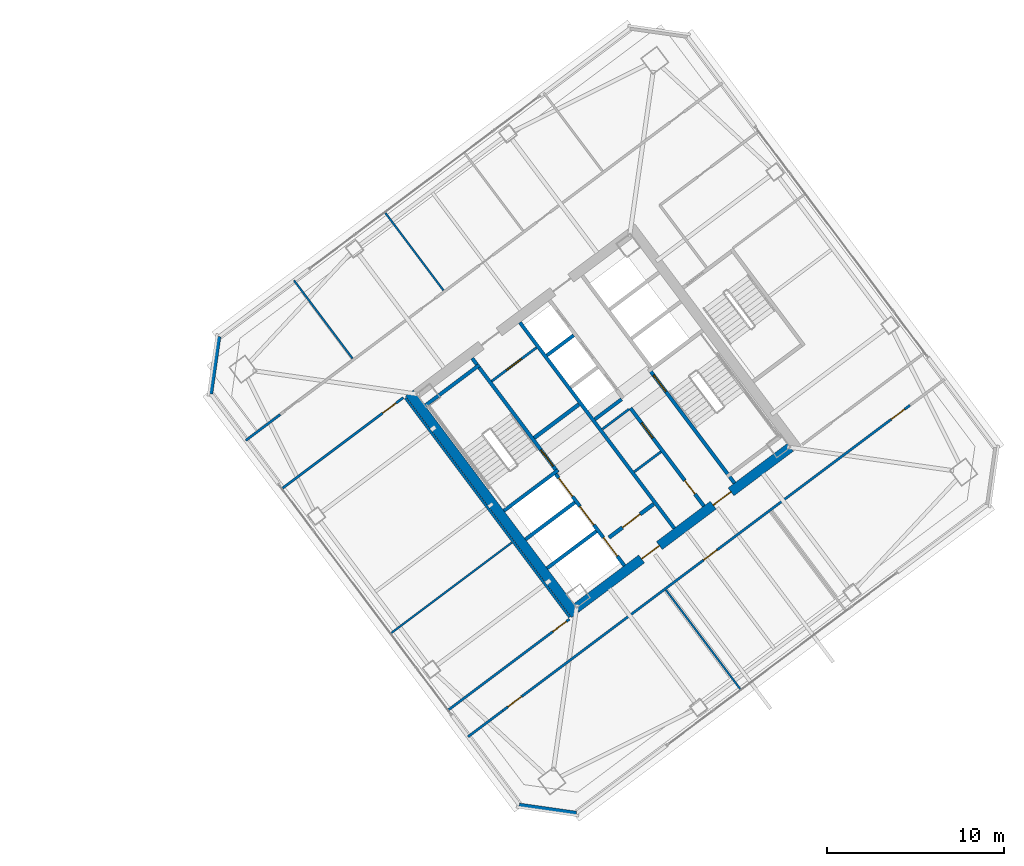
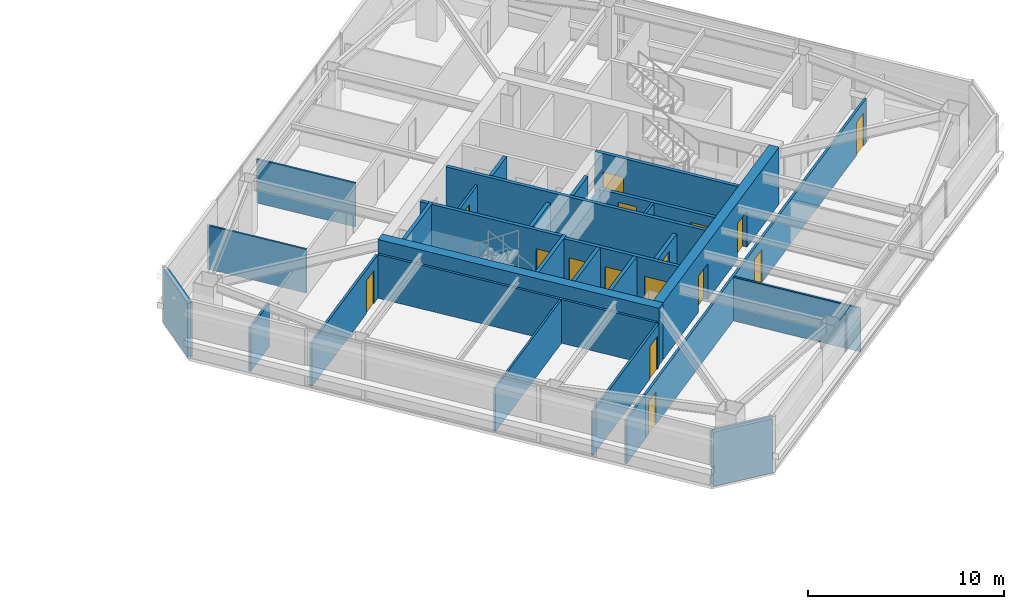
# One storey, part 34 of 42: 30 walls, 16 doors, 16 openings.
"""IFC4 building model written with IfcOpenShell, lengths in metres."""

from ifc_helpers import new_model, si_unit, direction, frame, frame_2d, origin, place, context, subcontext, project, spatial, rectangle, extrude, material, layer, layer_set, type_object, element, fill, save


model = new_model("IFC4")

# Units and contexts
model_context = context("Model", 3, precision=1e-05, world=origin(), true_north=direction((0.0, 1.0)))
body_context = subcontext(model_context, "Body", "Model", "MODEL_VIEW")
ifc_project = project(units=[si_unit("LENGTHUNIT", "METRE"), si_unit("AREAUNIT", "SQUARE_METRE"), si_unit("VOLUMEUNIT", "CUBIC_METRE"), si_unit("PLANEANGLEUNIT", "RADIAN"), si_unit("MASSUNIT", "GRAM", prefix="KILO")], contexts=[model_context])

# Site, building, storey
site_placement = place(None, origin())
site = spatial("IfcSite", under=ifc_project, at=site_placement, CompositionType="ELEMENT")
building_placement = place(site_placement, origin())
building = spatial("IfcBuilding", under=site, at=building_placement, Name="Tashvorn Skyway Center", CompositionType="ELEMENT")
storey_placement = place(building_placement, frame((0.0, 0.0, 164.10009765625)))
storey = spatial("IfcBuildingStorey", under=building, at=storey_placement, Name="L44", CompositionType="ELEMENT", Elevation=164.10009765625)

# Wall
ifc_material_1 = material(Name="Concrete C60/75", Category="concrete")
ifc_layer_1 = layer(ifc_material_1, 0.550048828125)
ifc_layer_set_1 = layer_set([ifc_layer_1], Name="Concrete C60/75")
wall_type_1 = type_object("IfcWallType", Name="WALL-CORE-550", PredefinedType="SHEAR", material=ifc_layer_set_1)
wall_1_placement = place(storey_placement, frame((112.43603515625, 21.076904296875, 0.0), z_axis=(0.0, 0.0, 1.0), x_axis=(-0.600005007985, 0.799996243986, 0.0)))
element("IfcWall", 1, at=wall_1_placement, inside=storey, type_object=wall_type_1, Name="Tower 2 L44 West Core Shear Wall", PredefinedType="SHEAR", context=body_context, shape_type="SweptSolid", body=[
    extrude(rectangle(XDim=15.60009765625, YDim=0.550048828125, at=frame_2d((7.800048828125, 0.0))), origin(), (0.0, 0.0, 1.0), 3.5498046875),
])

# Wall, openings, doors
wall_2_placement = place(storey_placement, frame((124.5390625, 30.498046875, 0.0), z_axis=(0.0, 0.0, 1.0), x_axis=(-0.799998054672, -0.600002593761, 0.0)))
wall_2 = element("IfcWall", 2, at=wall_2_placement, inside=storey, type_object=wall_type_1, Name="Tower 2 L44 South Core Shear Wall", PredefinedType="SHEAR", context=body_context, shape_type="SweptSolid", body=[
    extrude(rectangle(XDim=15.06005859375, YDim=0.550048828125, at=frame_2d((7.530029296875, 0.0))), origin(), (0.0, 0.0, 1.0), 3.5498046875),
])
opening_1_placement = place(wall_2_placement, frame((9.22998046875, 0.0, 0.0)))
opening_1 = element("IfcOpeningElement", 3, at=opening_1_placement, cuts=wall_2, Name="Opening D-FFL-1250", PredefinedType="OPENING", context=body_context, shape_type="SweptSolid", body=[
    extrude(rectangle(XDim=1.25, YDim=2.25, at=frame_2d((0.625, 1.125))), frame((0.0, 0.284912109375, 0.0), z_axis=(0.0, -1.0, 0.0), x_axis=(1.0, 0.0, 0.0)), (0.0, 0.0, 1.0), 0.570068359375),
])
opening_2_placement = place(wall_2_placement, frame((4.179931640625, 0.0, 0.0)))
opening_2 = element("IfcOpeningElement", 4, at=opening_2_placement, cuts=wall_2, Name="Opening D-FFL-1250", PredefinedType="OPENING", context=body_context, shape_type="SweptSolid", body=[
    extrude(rectangle(XDim=1.25, YDim=2.25, at=frame_2d((0.625, 1.125))), frame((0.0, 0.284912109375, 0.0), z_axis=(0.0, -1.0, 0.0), x_axis=(1.0, 0.0, 0.0)), (0.0, 0.0, 1.0), 0.570068359375),
])
ifc_material_2 = material(Name="Hollow galvanized steel fire door assembly", Category="steel")
door_type_1 = type_object("IfcDoorType", Name="DOOR-FFL-1250", OperationType="NOTDEFINED", PredefinedType="DOOR", material=ifc_material_2)
door_1_placement = place(opening_1_placement, origin())
door_1 = element("IfcDoor", 5, at=door_1_placement, inside=storey, type_object=door_type_1, Name="Tower 2 L44 Core South Firefighting Exit Door", OperationType="SINGLE_SWING_LEFT", OverallHeight=2.25, OverallWidth=1.25, PredefinedType="DOOR", context=body_context, shape_type="SweptSolid", body=[
    extrude(rectangle(XDim=1.25, YDim=2.25, at=frame_2d((0.625, 1.125))), frame((0.0, 0.02490234375, 0.0), z_axis=(0.0, -1.0, 0.0), x_axis=(1.0, 0.0, 0.0)), (0.0, 0.0, 1.0), 0.050048828125),
])
fill(opening_1, door_1)
door_2_placement = place(opening_2_placement, origin())
door_2 = element("IfcDoor", 6, at=door_2_placement, inside=storey, type_object=door_type_1, Name="Tower 2 L44 Core South Lift Lobby Door", OperationType="SINGLE_SWING_RIGHT", OverallHeight=2.25, OverallWidth=1.25, PredefinedType="DOOR", context=body_context, shape_type="SweptSolid", body=[
    extrude(rectangle(XDim=1.25, YDim=2.25, at=frame_2d((0.625, 1.125))), frame((0.0, 0.02490234375, 0.0), z_axis=(0.0, -1.0, 0.0), x_axis=(1.0, 0.0, 0.0)), (0.0, 0.0, 1.0), 0.050048828125),
])
fill(opening_2, door_2)

# Walls
ifc_material_3 = material(Name="Precast concrete C40/50", Category="concrete")
ifc_layer_2 = layer(ifc_material_3, 0.280029296875)
ifc_layer_set_2 = layer_set([ifc_layer_2], Name="Precast concrete C40/50")
wall_type_2 = type_object("IfcWallType", Name="WALL-EXT-280", PredefinedType="SOLIDWALL", material=ifc_layer_set_2)
for number, where, z_axis, x_axis, name in (
    (7, (112.47998046875, 9.860107421875, 0.0), (0.0, 0.0, 1.0), (-0.989950994782, 0.141410847992, 0.0), "Tower 2 L44 SW Precast Chamfer Wall"),
    (8, (91.860107421875, 33.52001953125, 0.0), (0.0, 0.0, 1.0), (0.141410847992, 0.989950994782, 0.0), "Tower 2 L44 NW Precast Chamfer Wall"),
):
    element("IfcWall", number, at=place(storey_placement, frame(where, z_axis=z_axis, x_axis=x_axis)), inside=storey, type_object=wall_type_2, Name=name, PredefinedType="SOLIDWALL", context=body_context, shape_type="SweptSolid", body=[
        extrude(rectangle(XDim=3.252685546875, YDim=0.280029296875, at=frame_2d((1.62646484375, 0.0))), origin(), (0.0, 0.0, 1.0), 3.369873046875),
    ])
ifc_material_4 = material(Name="Concrete C40/50", Category="concrete")
ifc_layer_3 = layer(ifc_material_4, 0.219970703125)
ifc_layer_set_3 = layer_set([ifc_layer_3], Name="Concrete C40/50")
wall_type_3 = type_object("IfcWallType", Name="WALL-FFL-220", PredefinedType="SOLIDWALL", material=ifc_layer_set_3)
wall_3_placement = place(storey_placement, frame((110.10400390625, 31.028076171875, 0.0), z_axis=(0.0, 0.0, 1.0), x_axis=(0.800018601094, 0.59997519774, 0.0)))
element("IfcWall", 9, at=wall_3_placement, inside=storey, type_object=wall_type_3, Name="Tower 2 L44 Firefighting Lobby North Wall", PredefinedType="SOLIDWALL", context=body_context, shape_type="SweptSolid", body=[
    extrude(rectangle(XDim=3.14990234375, YDim=0.219970703125, at=frame_2d((1.574951171875, 0.0))), origin(), (0.0, 0.0, 1.0), 2.722900390625),
])

# Wall, opening, door
wall_4_placement = place(storey_placement, frame((114.31591796875, 25.412109375, 0.0), z_axis=(0.0, 0.0, 1.0), x_axis=(0.800018601094, 0.59997519774, 0.0)))
wall_4 = element("IfcWall", 10, at=wall_4_placement, inside=storey, type_object=wall_type_3, Name="Tower 2 L44 Firefighting Lobby South Wall", PredefinedType="SOLIDWALL", context=body_context, shape_type="SweptSolid", body=[
    extrude(rectangle(XDim=3.14990234375, YDim=0.219970703125, at=frame_2d((1.574951171875, 0.0))), origin(), (0.0, 0.0, 1.0), 2.722900390625),
])
opening_3_placement = place(wall_4_placement, frame((0.949951171875, 0.0, 0.0)))
opening_3 = element("IfcOpeningElement", 11, at=opening_3_placement, cuts=wall_4, Name="Opening D-FFL-1250", PredefinedType="OPENING", context=body_context, shape_type="SweptSolid", body=[
    extrude(rectangle(XDim=1.25, YDim=2.25, at=frame_2d((0.625, 1.125))), frame((0.0, 0.119873046875, 0.0), z_axis=(0.0, -1.0, 0.0), x_axis=(1.0, 0.0, 0.0)), (0.0, 0.0, 1.0), 0.239990234375),
])
door_3_placement = place(opening_3_placement, origin())
door_3 = element("IfcDoor", 12, at=door_3_placement, inside=storey, type_object=door_type_1, Name="Tower 2 L44 Firefighting Lobby Egress Door", OperationType="SINGLE_SWING_LEFT", OverallHeight=2.25, OverallWidth=1.25, PredefinedType="DOOR", context=body_context, shape_type="SweptSolid", body=[
    extrude(rectangle(XDim=1.25, YDim=2.25, at=frame_2d((0.625, 1.125))), frame((0.0, 0.02490234375, 0.0), z_axis=(0.0, -1.0, 0.0), x_axis=(1.0, 0.0, 0.0)), (0.0, 0.0, 1.0), 0.050048828125),
])
fill(opening_3, door_3)

# Walls
ifc_material_5 = material(Name="Gypsum board on cold-formed steel stud framing", Category="steel")
ifc_layer_4 = layer(ifc_material_5, 0.110107421875)
ifc_layer_set_4 = layer_set([ifc_layer_4], Name="Gypsum board on cold-formed steel stud framing")
wall_type_4 = type_object("IfcWallType", Name="WALL-PART-110", PredefinedType="PARTITIONING", material=ifc_layer_set_4)
wall_5_placement = place(storey_placement, frame((99.8720703125, 35.50390625, 0.0), z_axis=(0.0, 0.0, 1.0), x_axis=(-0.599992897893, 0.800005326531, 0.0)))
element("IfcWall", 13, at=wall_5_placement, inside=storey, type_object=wall_type_4, Name="Tower 2 L44 North Suite Partition 1", PredefinedType="PARTITIONING", context=body_context, shape_type="SweptSolid", body=[
    extrude(rectangle(XDim=5.500244140625, YDim=0.110107421875, at=frame_2d((2.75, 0.0))), origin(), (0.0, 0.0, 1.0), 2.722900390625),
])
wall_6_placement = place(storey_placement, frame((104.991943359375, 39.343994140625, 0.0), z_axis=(0.0, 0.0, 1.0), x_axis=(-0.600014204577, 0.79998934637, 0.0)))
element("IfcWall", 14, at=wall_6_placement, inside=storey, type_object=wall_type_4, Name="Tower 2 L44 North Suite Partition 2", PredefinedType="PARTITIONING", context=body_context, shape_type="SweptSolid", body=[
    extrude(rectangle(XDim=5.5, YDim=0.110107421875, at=frame_2d((2.75, 0.0))), origin(), (0.0, 0.0, 1.0), 2.722900390625),
])
wall_7_placement = place(storey_placement, frame((121.748046875, 16.8359375, 0.0), z_axis=(0.0, 0.0, 1.0), x_axis=(-0.6, 0.8, 0.0)))
element("IfcWall", 15, at=wall_7_placement, inside=storey, type_object=wall_type_4, Name="Tower 2 L44 South Suite Partition 1", PredefinedType="PARTITIONING", context=body_context, shape_type="SweptSolid", body=[
    extrude(rectangle(XDim=7.030029296875, YDim=0.110107421875, at=frame_2d((3.51513671875, 0.0))), origin(), (0.0, 0.0, 1.0), 2.722900390625),
])
wall_8_placement = place(storey_placement, frame((102.01611328125, 20.011962890625, 0.0), z_axis=(0.0, 0.0, 1.0), x_axis=(0.799989708052, 0.600013722352, 0.0)))
element("IfcWall", 16, at=wall_8_placement, inside=storey, type_object=wall_type_4, Name="Tower 2 L44 West Mid Partition", PredefinedType="PARTITIONING", context=body_context, shape_type="SweptSolid", body=[
    extrude(rectangle(XDim=8.539794921875, YDim=0.110107421875, at=frame_2d((4.27001953125, 0.0))), origin(), (0.0, 0.0, 1.0), 2.722900390625),
])
ifc_layer_5 = layer(ifc_material_5, 0.135009765625)
ifc_layer_set_5 = layer_set([ifc_layer_5], Name="Gypsum board on cold-formed steel stud framing")
wall_type_5 = type_object("IfcWallType", Name="WALL-PART-135", PredefinedType="PARTITIONING", material=ifc_layer_set_5)
wall_9_placement = place(storey_placement, frame((93.85595703125, 30.89208984375, 0.0), z_axis=(0.0, 0.0, 1.0), x_axis=(0.800012055778, 0.599983925293, 0.0)))
element("IfcWall", 17, at=wall_9_placement, inside=storey, type_object=wall_type_5, Name="Tower 2 L44 North-West Suite South Wall", PredefinedType="PARTITIONING", context=body_context, shape_type="SweptSolid", body=[
    extrude(rectangle(XDim=2.43017578125, YDim=0.135009765625, at=frame_2d((1.215087890625, 0.0))), origin(), (0.0, 0.0, 1.0), 2.722900390625),
])

# Wall, openings, doors
wall_10_placement = place(storey_placement, frame((131.281982421875, 32.8740234375, 0.0), z_axis=(0.0, 0.0, 1.0), x_axis=(-0.8, -0.6, 0.0)))
wall_10 = element("IfcWall", 18, at=wall_10_placement, inside=storey, type_object=wall_type_5, Name="Tower 2 L44 South Suite Wall", PredefinedType="PARTITIONING", context=body_context, shape_type="SweptSolid", body=[
    extrude(rectangle(XDim=28.699951171875, YDim=0.135009765625, at=frame_2d((14.35009765625, 0.0))), origin(), (0.0, 0.0, 1.0), 2.722900390625),
])
opening_4_placement = place(wall_10_placement, frame((27.3701171875, 0.0, 0.0)))
opening_4 = element("IfcOpeningElement", 19, at=opening_4_placement, cuts=wall_10, Name="Opening D-INT-950", PredefinedType="OPENING", context=body_context, shape_type="SweptSolid", body=[
    extrude(rectangle(XDim=0.949951171875, YDim=2.050048828125, at=frame_2d((0.47509765625, 1.02490234375))), frame((0.0, 0.077392578125, 0.0), z_axis=(0.0, -1.0, 0.0), x_axis=(1.0, 0.0, 0.0)), (0.0, 0.0, 1.0), 0.155029296875),
])
opening_5_placement = place(wall_10_placement, frame((13.59228515625, 0.0, 0.0)))
opening_5 = element("IfcOpeningElement", 20, at=opening_5_placement, cuts=wall_10, Name="Opening D-INT-950", PredefinedType="OPENING", context=body_context, shape_type="SweptSolid", body=[
    extrude(rectangle(XDim=0.949951171875, YDim=2.050048828125, at=frame_2d((0.47509765625, 1.02490234375))), frame((0.0, 0.077392578125, 0.0), z_axis=(0.0, -1.0, 0.0), x_axis=(1.0, 0.0, 0.0)), (0.0, 0.0, 1.0), 0.155029296875),
])
opening_6_placement = place(wall_10_placement, frame((0.3798828125, 0.0, 0.0)))
opening_6 = element("IfcOpeningElement", 21, at=opening_6_placement, cuts=wall_10, Name="Opening D-INT-950", PredefinedType="OPENING", context=body_context, shape_type="SweptSolid", body=[
    extrude(rectangle(XDim=0.949951171875, YDim=2.050048828125, at=frame_2d((0.47509765625, 1.02490234375))), frame((0.0, 0.077392578125, 0.0), z_axis=(0.0, -1.0, 0.0), x_axis=(1.0, 0.0, 0.0)), (0.0, 0.0, 1.0), 0.155029296875),
])
ifc_material_6 = material(Name="Solid-core architectural oak veneer door")
door_type_2 = type_object("IfcDoorType", Name="DOOR-INT-950", OperationType="NOTDEFINED", PredefinedType="DOOR", material=ifc_material_6)
door_4_placement = place(opening_4_placement, origin())
door_4 = element("IfcDoor", 22, at=door_4_placement, inside=storey, type_object=door_type_2, Name="Tower 2 L44 Research Library Door", OperationType="SINGLE_SWING_LEFT", OverallHeight=2.050048828125, OverallWidth=0.949951171875, PredefinedType="DOOR", context=body_context, shape_type="SweptSolid", body=[
    extrude(rectangle(XDim=0.949951171875, YDim=2.050048828125, at=frame_2d((0.47509765625, 1.02490234375))), frame((0.0, 0.02490234375, 0.0), z_axis=(0.0, -1.0, 0.0), x_axis=(1.0, 0.0, 0.0)), (0.0, 0.0, 1.0), 0.050048828125),
])
fill(opening_4, door_4)
door_5_placement = place(opening_5_placement, origin())
door_5 = element("IfcDoor", 23, at=door_5_placement, inside=storey, type_object=door_type_2, Name="Tower 2 L44 Staff Fitness Club Door", OperationType="SINGLE_SWING_RIGHT", OverallHeight=2.050048828125, OverallWidth=0.949951171875, PredefinedType="DOOR", context=body_context, shape_type="SweptSolid", body=[
    extrude(rectangle(XDim=0.949951171875, YDim=2.050048828125, at=frame_2d((0.47509765625, 1.02490234375))), frame((0.0, 0.02490234375, 0.0), z_axis=(0.0, -1.0, 0.0), x_axis=(1.0, 0.0, 0.0)), (0.0, 0.0, 1.0), 0.050048828125),
])
fill(opening_5, door_5)
door_6_placement = place(opening_6_placement, origin())
door_6 = element("IfcDoor", 24, at=door_6_placement, inside=storey, type_object=door_type_2, Name="Tower 2 L44 Staff Fitness Club Door", OperationType="SINGLE_SWING_LEFT", OverallHeight=2.050048828125, OverallWidth=0.949951171875, PredefinedType="DOOR", context=body_context, shape_type="SweptSolid", body=[
    extrude(rectangle(XDim=0.949951171875, YDim=2.050048828125, at=frame_2d((0.47509765625, 1.02490234375))), frame((0.0, 0.02490234375, 0.0), z_axis=(0.0, -1.0, 0.0), x_axis=(1.0, 0.0, 0.0)), (0.0, 0.0, 1.0), 0.050048828125),
])
fill(opening_6, door_6)

# Walls
wall_11_placement = place(storey_placement, frame((106.3779296875, 14.196044921875, 0.0), z_axis=(0.0, 0.0, 1.0), x_axis=(0.800012055778, 0.599983925293, 0.0)))
element("IfcWall", 25, at=wall_11_placement, inside=storey, type_object=wall_type_5, Name="Tower 2 L44 South-West Suite North Wall", PredefinedType="PARTITIONING", context=body_context, shape_type="SweptSolid", body=[
    extrude(rectangle(XDim=2.43017578125, YDim=0.135009765625, at=frame_2d((1.215087890625, 0.0))), origin(), (0.0, 0.0, 1.0), 2.722900390625),
])
wall_12_placement = place(storey_placement, frame((112.10400390625, 20.927978515625, 0.0), z_axis=(0.0, 0.0, 1.0), x_axis=(-0.599994940075, 0.800003794918, 0.0)))
element("IfcWall", 26, at=wall_12_placement, inside=storey, type_object=wall_type_5, Name="Tower 2 L44 West Inner Suite Wall", PredefinedType="PARTITIONING", context=body_context, shape_type="SweptSolid", body=[
    extrude(rectangle(XDim=15.43994140625, YDim=0.135009765625, at=frame_2d((7.719970703125, 0.0))), origin(), (0.0, 0.0, 1.0), 2.722900390625),
])

# Wall, opening, door
wall_13_placement = place(storey_placement, frame((102.72802734375, 33.2958984375, 0.0), z_axis=(0.0, 0.0, 1.0), x_axis=(-0.800013722153, -0.59998170336, 0.0)))
wall_13 = element("IfcWall", 27, at=wall_13_placement, inside=storey, type_object=wall_type_5, Name="Tower 2 L44 West Suite North Wall", PredefinedType="PARTITIONING", context=body_context, shape_type="SweptSolid", body=[
    extrude(rectangle(XDim=8.539794921875, YDim=0.135009765625, at=frame_2d((4.27001953125, 0.0))), origin(), (0.0, 0.0, 1.0), 2.722900390625),
])
opening_7_placement = place(wall_13_placement, frame((0.5, 0.0, 0.0)))
opening_7 = element("IfcOpeningElement", 28, at=opening_7_placement, cuts=wall_13, Name="Opening D-INT-950", PredefinedType="OPENING", context=body_context, shape_type="SweptSolid", body=[
    extrude(rectangle(XDim=0.949951171875, YDim=2.050048828125, at=frame_2d((0.47509765625, 1.02490234375))), frame((0.0, 0.077392578125, 0.0), z_axis=(0.0, -1.0, 0.0), x_axis=(1.0, 0.0, 0.0)), (0.0, 0.0, 1.0), 0.155029296875),
])
door_7_placement = place(opening_7_placement, origin())
door_7 = element("IfcDoor", 29, at=door_7_placement, inside=storey, type_object=door_type_2, Name="Tower 2 L44 Design Studio Door", OperationType="SINGLE_SWING_RIGHT", OverallHeight=2.050048828125, OverallWidth=0.949951171875, PredefinedType="DOOR", context=body_context, shape_type="SweptSolid", body=[
    extrude(rectangle(XDim=0.949951171875, YDim=2.050048828125, at=frame_2d((0.47509765625, 1.02490234375))), frame((0.0, 0.02490234375, 0.0), z_axis=(0.0, -1.0, 0.0), x_axis=(1.0, 0.0, 0.0)), (0.0, 0.0, 1.0), 0.050048828125),
])
fill(opening_7, door_7)

wall_14_placement = place(storey_placement, frame((105.256103515625, 15.69189453125, 0.0), z_axis=(0.0, 0.0, 1.0), x_axis=(0.799989708052, 0.600013722352, 0.0)))
wall_14 = element("IfcWall", 30, at=wall_14_placement, inside=storey, type_object=wall_type_5, Name="Tower 2 L44 West Suite South Wall", PredefinedType="PARTITIONING", context=body_context, shape_type="SweptSolid", body=[
    extrude(rectangle(XDim=8.539794921875, YDim=0.135009765625, at=frame_2d((4.27001953125, 0.0))), origin(), (0.0, 0.0, 1.0), 2.722900390625),
])
opening_8_placement = place(wall_14_placement, frame((7.3798828125, 0.0, 0.0)))
opening_8 = element("IfcOpeningElement", 31, at=opening_8_placement, cuts=wall_14, Name="Opening D-INT-950", PredefinedType="OPENING", context=body_context, shape_type="SweptSolid", body=[
    extrude(rectangle(XDim=0.949951171875, YDim=2.050048828125, at=frame_2d((0.47509765625, 1.02490234375))), frame((0.0, 0.077392578125, 0.0), z_axis=(0.0, -1.0, 0.0), x_axis=(1.0, 0.0, 0.0)), (0.0, 0.0, 1.0), 0.155029296875),
])
door_8_placement = place(opening_8_placement, origin())
door_8 = element("IfcDoor", 32, at=door_8_placement, inside=storey, type_object=door_type_2, Name="Tower 2 L44 Public Restroom Door", OperationType="SINGLE_SWING_LEFT", OverallHeight=2.050048828125, OverallWidth=0.949951171875, PredefinedType="DOOR", context=body_context, shape_type="SweptSolid", body=[
    extrude(rectangle(XDim=0.949951171875, YDim=2.050048828125, at=frame_2d((0.47509765625, 1.02490234375))), frame((0.0, 0.02490234375, 0.0), z_axis=(0.0, -1.0, 0.0), x_axis=(1.0, 0.0, 0.0)), (0.0, 0.0, 1.0), 0.050048828125),
])
fill(opening_8, door_8)

ifc_layer_6 = layer(ifc_material_5, 0.135009765625)
ifc_layer_set_6 = layer_set([ifc_layer_6], Name="Gypsum board on cold-formed steel stud framing")
wall_type_6 = type_object("IfcWallType", Name="WALL-RATED-135", PredefinedType="PARTITIONING", material=ifc_layer_set_6)
wall_15_placement = place(storey_placement, frame((107.7099609375, 34.219970703125, 0.0), z_axis=(0.0, 0.0, 1.0), x_axis=(0.799981399002, 0.60002480053, 0.0)))
wall_15 = element("IfcWall", 33, at=wall_15_placement, inside=storey, type_object=wall_type_6, Name="Tower 2 L44 Core Service Lobby Wall", PredefinedType="PARTITIONING", context=body_context, shape_type="SweptSolid", body=[
    extrude(rectangle(XDim=3.150146484375, YDim=0.135009765625, at=frame_2d((1.5751953125, 0.0))), origin(), (0.0, 0.0, 1.0), 2.722900390625),
])
opening_9_placement = place(wall_15_placement, frame((1.050048828125, 0.0, 0.0)))
opening_9 = element("IfcOpeningElement", 34, at=opening_9_placement, cuts=wall_15, Name="Opening D-RT-1050", PredefinedType="OPENING", context=body_context, shape_type="SweptSolid", body=[
    extrude(rectangle(XDim=1.050048828125, YDim=2.199951171875, at=frame_2d((0.52490234375, 1.10009765625))), frame((0.0, 0.077392578125, 0.0), z_axis=(0.0, -1.0, 0.0), x_axis=(1.0, 0.0, 0.0)), (0.0, 0.0, 1.0), 0.155029296875),
])
door_type_3 = type_object("IfcDoorType", Name="DOOR-RATED-1050", OperationType="NOTDEFINED", PredefinedType="DOOR", material=ifc_material_2)
door_9_placement = place(opening_9_placement, origin())
door_9 = element("IfcDoor", 35, at=door_9_placement, inside=storey, type_object=door_type_3, Name="Tower 2 L44 Core Accessible WC Door", OperationType="SINGLE_SWING_LEFT", OverallHeight=2.199951171875, OverallWidth=1.050048828125, PredefinedType="DOOR", context=body_context, shape_type="SweptSolid", body=[
    extrude(rectangle(XDim=1.050048828125, YDim=2.199951171875, at=frame_2d((0.52490234375, 1.10009765625))), frame((0.0, 0.02490234375, 0.0), z_axis=(0.0, -1.0, 0.0), x_axis=(1.0, 0.0, 0.0)), (0.0, 0.0, 1.0), 0.050048828125),
])
fill(opening_9, door_9)

# Walls
for number, where, z_axis, x_axis, name in (
    (36, (113.946044921875, 31.52197265625, 0.0), (0.0, 0.0, 1.0), (0.8, 0.6, 0.0), "Tower 2 L44 Core Room Partition"),
    (37, (115.74609375, 29.1220703125, 0.0), (0.0, 0.0, 1.0), (0.8, 0.6, 0.0), "Tower 2 L44 Freed Core Partition"),
):
    element("IfcWall", number, at=place(storey_placement, frame(where, z_axis=z_axis, x_axis=x_axis)), inside=storey, type_object=wall_type_6, Name=name, PredefinedType="PARTITIONING", context=body_context, shape_type="SweptSolid", body=[
        extrude(rectangle(XDim=1.8798828125, YDim=0.135009765625, at=frame_2d((0.93994140625, 0.0))), origin(), (0.0, 0.0, 1.0), 2.722900390625),
    ])
ifc_layer_7 = layer(ifc_material_4, 0.199951171875)
ifc_layer_set_7 = layer_set([ifc_layer_7], Name="Concrete C40/50")
wall_type_7 = type_object("IfcWallType", Name="WALL-SHAFT-200", PredefinedType="SOLIDWALL", material=ifc_layer_set_7)
for number, where, z_axis, x_axis, name in (
    (38, (110.825927734375, 23.681884765625, 0.0), (0.0, 0.0, 1.0), (0.8, 0.6, 0.0), "Tower 2 L44 FSAE Shaft Divider"),
    (39, (109.60791015625, 25.305908203125, 0.0), (0.0, 0.0, 1.0), (0.8, 0.6, 0.0), "Tower 2 L44 FSAE Shaft Divider"),
):
    element("IfcWall", number, at=place(storey_placement, frame(where, z_axis=z_axis, x_axis=x_axis)), inside=storey, type_object=wall_type_7, Name=name, PredefinedType="SOLIDWALL", context=body_context, shape_type="SweptSolid", body=[
        extrude(rectangle(XDim=3.480224609375, YDim=0.199951171875, at=frame_2d((1.740234375, 0.0))), origin(), (0.0, 0.0, 1.0), 3.369873046875),
    ])

# Wall, openings, doors
wall_16_placement = place(storey_placement, frame((119.669921875, 27.18994140625, 0.0), z_axis=(0.0, 0.0, 1.0), x_axis=(-0.599988677396, 0.800008491828, 0.0)))
wall_16 = element("IfcWall", 40, at=wall_16_placement, inside=storey, type_object=wall_type_7, Name="Tower 2 L44 Low-Rise Core Wall", PredefinedType="SOLIDWALL", context=body_context, shape_type="SweptSolid", body=[
    extrude(rectangle(XDim=6.89990234375, YDim=0.199951171875, at=frame_2d((3.449951171875, 0.0))), origin(), (0.0, 0.0, 1.0), 2.722900390625),
])
opening_10_placement = place(wall_16_placement, frame((0.85009765625, 0.0, 0.0)))
opening_10 = element("IfcOpeningElement", 41, at=opening_10_placement, cuts=wall_16, Name="Opening D-RT-950", PredefinedType="OPENING", context=body_context, shape_type="SweptSolid", body=[
    extrude(rectangle(XDim=0.949951171875, YDim=2.050048828125, at=frame_2d((0.47509765625, 1.02490234375))), frame((0.0, 0.10986328125, 0.0), z_axis=(0.0, -1.0, 0.0), x_axis=(1.0, 0.0, 0.0)), (0.0, 0.0, 1.0), 0.219970703125),
])
opening_11_placement = place(wall_16_placement, frame((4.800048828125, 0.0, 0.0)))
opening_11 = element("IfcOpeningElement", 42, at=opening_11_placement, cuts=wall_16, Name="Opening D-RT-1050", PredefinedType="OPENING", context=body_context, shape_type="SweptSolid", body=[
    extrude(rectangle(XDim=1.050048828125, YDim=2.199951171875, at=frame_2d((0.52490234375, 1.10009765625))), frame((0.0, 0.10986328125, 0.0), z_axis=(0.0, -1.0, 0.0), x_axis=(1.0, 0.0, 0.0)), (0.0, 0.0, 1.0), 0.219970703125),
])
door_10_placement = place(opening_11_placement, origin())
door_10 = element("IfcDoor", 43, at=door_10_placement, inside=storey, type_object=door_type_3, Name="Tower 2 L44 Freed Core Room Door", OperationType="SINGLE_SWING_RIGHT", OverallHeight=2.199951171875, OverallWidth=1.050048828125, PredefinedType="DOOR", context=body_context, shape_type="SweptSolid", body=[
    extrude(rectangle(XDim=1.050048828125, YDim=2.199951171875, at=frame_2d((0.52490234375, 1.10009765625))), frame((0.0, 0.02490234375, 0.0), z_axis=(0.0, -1.0, 0.0), x_axis=(1.0, 0.0, 0.0)), (0.0, 0.0, 1.0), 0.050048828125),
])
fill(opening_11, door_10)
door_type_4 = type_object("IfcDoorType", Name="DOOR-RATED-950", OperationType="NOTDEFINED", PredefinedType="DOOR", material=ifc_material_2)
door_11_placement = place(opening_10_placement, origin())
door_11 = element("IfcDoor", 44, at=door_11_placement, inside=storey, type_object=door_type_4, Name="Tower 2 L44 Core Print Room Door", OperationType="SINGLE_SWING_LEFT", OverallHeight=2.050048828125, OverallWidth=0.949951171875, PredefinedType="DOOR", context=body_context, shape_type="SweptSolid", body=[
    extrude(rectangle(XDim=0.949951171875, YDim=2.050048828125, at=frame_2d((0.47509765625, 1.02490234375))), frame((0.0, 0.02490234375, 0.0), z_axis=(0.0, -1.0, 0.0), x_axis=(1.0, 0.0, 0.0)), (0.0, 0.0, 1.0), 0.050048828125),
])
fill(opening_10, door_11)

# Walls
for number, where, z_axis, x_axis, name in (
    (45, (113.52587890625, 32.08203125, 0.0), (0.0, 0.0, 1.0), (0.800046745961, 0.599937666993, 0.0), "Tower 2 L44 Mid-Rise Shaft Divider"),
    (46, (110.825927734375, 35.681884765625, 0.0), (0.0, 0.0, 1.0), (0.799984418148, 0.600020775241, 0.0), "Tower 2 L44 Mid-Rise Shaft Divider"),
):
    element("IfcWall", number, at=place(storey_placement, frame(where, z_axis=z_axis, x_axis=x_axis)), inside=storey, type_object=wall_type_7, Name=name, PredefinedType="SOLIDWALL", context=body_context, shape_type="SweptSolid", body=[
        extrude(rectangle(XDim=1.880126953125, YDim=0.199951171875, at=frame_2d((0.93994140625, 0.0))), origin(), (0.0, 0.0, 1.0), 3.369873046875),
    ])

# Wall, opening, door
ifc_layer_8 = layer(ifc_material_4, 0.199951171875)
ifc_layer_set_8 = layer_set([ifc_layer_8], Name="Concrete C40/50")
wall_type_8 = type_object("IfcWallType", Name="WALL-STSHF-200", PredefinedType="SHEAR", material=ifc_layer_set_8)
wall_17_placement = place(storey_placement, frame((111.43994140625, 29.080078125, 0.0), z_axis=(0.0, 0.0, 1.0), x_axis=(-0.59999029481, 0.8000072788, 0.0)))
wall_17 = element("IfcWall", 47, at=wall_17_placement, inside=storey, type_object=wall_type_8, Name="Tower 2 L44 Stair 1 Enclosure Wall", PredefinedType="SHEAR", context=body_context, shape_type="SweptSolid", body=[
    extrude(rectangle(XDim=8.0498046875, YDim=0.199951171875, at=frame_2d((4.02490234375, 0.0))), origin(), (0.0, 0.0, 1.0), 3.369873046875),
])
opening_12_placement = place(wall_17_placement, frame((0.449951171875, 0.0, 0.0)))
opening_12 = element("IfcOpeningElement", 48, at=opening_12_placement, cuts=wall_17, Name="Opening D-ST-1150", PredefinedType="OPENING", context=body_context, shape_type="SweptSolid", body=[
    extrude(rectangle(XDim=1.14990234375, YDim=2.199951171875, at=frame_2d((0.574951171875, 1.10009765625))), frame((0.0, 0.10986328125, 0.0), z_axis=(0.0, -1.0, 0.0), x_axis=(1.0, 0.0, 0.0)), (0.0, 0.0, 1.0), 0.219970703125),
])
door_type_5 = type_object("IfcDoorType", Name="DOOR-STAIR-1150", OperationType="NOTDEFINED", PredefinedType="DOOR", material=ifc_material_2)
door_12_placement = place(opening_12_placement, origin())
door_12 = element("IfcDoor", 49, at=door_12_placement, inside=storey, type_object=door_type_5, Name="Tower 2 L44 Exit Stair 1 Door", OperationType="SINGLE_SWING_RIGHT", OverallHeight=2.199951171875, OverallWidth=1.14990234375, PredefinedType="DOOR", context=body_context, shape_type="SweptSolid", body=[
    extrude(rectangle(XDim=1.14990234375, YDim=2.199951171875, at=frame_2d((0.574951171875, 1.10009765625))), frame((0.0, 0.02490234375, 0.0), z_axis=(0.0, -1.0, 0.0), x_axis=(1.0, 0.0, 0.0)), (0.0, 0.0, 1.0), 0.050048828125),
])
fill(opening_12, door_12)

# Walls
for number, where, z_axis, x_axis, name in (
    (50, (108.39599609375, 26.922119140625, 0.0), (0.0, 0.0, 1.0), (0.800015298837, 0.599979601008, 0.0), "Tower 2 L44 Stair 1 South Wall"),
    (51, (103.9560546875, 32.842041015625, 0.0), (0.0, 0.0, 1.0), (0.800015298837, 0.599979601008, 0.0), "Tower 2 L44 Stair 1 North Wall"),
):
    element("IfcWall", number, at=place(storey_placement, frame(where, z_axis=z_axis, x_axis=x_axis)), inside=storey, type_object=wall_type_8, Name=name, PredefinedType="SHEAR", context=body_context, shape_type="SweptSolid", body=[
        extrude(rectangle(XDim=3.829833984375, YDim=0.199951171875, at=frame_2d((1.9150390625, 0.0))), origin(), (0.0, 0.0, 1.0), 3.369873046875),
    ])

# Wall, opening, door
wall_18_placement = place(storey_placement, frame((116.56005859375, 34.919921875, 0.0), z_axis=(0.0, 0.0, 1.0), x_axis=(0.59999029481, -0.8000072788, 0.0)))
wall_18 = element("IfcWall", 52, at=wall_18_placement, inside=storey, type_object=wall_type_8, Name="Tower 2 L44 Stair 2 Enclosure Wall", PredefinedType="SHEAR", context=body_context, shape_type="SweptSolid", body=[
    extrude(rectangle(XDim=8.0498046875, YDim=0.199951171875, at=frame_2d((4.02490234375, 0.0))), origin(), (0.0, 0.0, 1.0), 3.369873046875),
])
opening_13_placement = place(wall_18_placement, frame((0.449951171875, 0.0, 0.0)))
opening_13 = element("IfcOpeningElement", 53, at=opening_13_placement, cuts=wall_18, Name="Opening D-ST-1150", PredefinedType="OPENING", context=body_context, shape_type="SweptSolid", body=[
    extrude(rectangle(XDim=1.14990234375, YDim=2.199951171875, at=frame_2d((0.574951171875, 1.10009765625))), frame((0.0, 0.10986328125, 0.0), z_axis=(0.0, -1.0, 0.0), x_axis=(1.0, 0.0, 0.0)), (0.0, 0.0, 1.0), 0.219970703125),
])
door_13_placement = place(opening_13_placement, origin())
door_13 = element("IfcDoor", 54, at=door_13_placement, inside=storey, type_object=door_type_5, Name="Tower 2 L44 Exit Stair 2 Door", OperationType="SINGLE_SWING_RIGHT", OverallHeight=2.199951171875, OverallWidth=1.14990234375, PredefinedType="DOOR", context=body_context, shape_type="SweptSolid", body=[
    extrude(rectangle(XDim=1.14990234375, YDim=2.199951171875, at=frame_2d((0.574951171875, 1.10009765625))), frame((0.0, 0.02490234375, 0.0), z_axis=(0.0, -1.0, 0.0), x_axis=(1.0, 0.0, 0.0)), (0.0, 0.0, 1.0), 0.050048828125),
])
fill(opening_13, door_13)

# Wall
wall_19_placement = place(storey_placement, frame((117.998046875, 25.93603515625, 0.0), z_axis=(0.0, 0.0, 1.0), x_axis=(-0.600002693989, 0.799997979501, 0.0)))
element("IfcWall", 55, at=wall_19_placement, inside=storey, type_object=wall_type_8, Name="Tower 2 L44 Firefighting Lobby East Smoke Barrier", PredefinedType="SHEAR", context=body_context, shape_type="SweptSolid", body=[
    extrude(rectangle(XDim=14.499755859375, YDim=0.199951171875, at=frame_2d((7.25, 0.0))), origin(), (0.0, 0.0, 1.0), 3.369873046875),
])

# Wall, openings, doors
wall_20_placement = place(storey_placement, frame((115.18994140625, 23.830078125, 0.0), z_axis=(0.0, 0.0, 1.0), x_axis=(-0.599993943644, 0.800004542231, 0.0)))
wall_20 = element("IfcWall", 56, at=wall_20_placement, inside=storey, type_object=wall_type_8, Name="Tower 2 L44 FSAE and Goods Shaft Front Wall", PredefinedType="SHEAR", context=body_context, shape_type="SweptSolid", body=[
    extrude(rectangle(XDim=6.449951171875, YDim=0.199951171875, at=frame_2d((3.22509765625, 0.0))), origin(), (0.0, 0.0, 1.0), 3.369873046875),
])
opening_14_placement = place(wall_20_placement, frame((4.875, 0.0, 0.0)))
opening_14 = element("IfcOpeningElement", 57, at=opening_14_placement, cuts=wall_20, Name="Opening LD-FF-T2-1-L44", PredefinedType="OPENING", context=body_context, shape_type="SweptSolid", body=[
    extrude(rectangle(XDim=1.300048828125, YDim=2.25, at=frame_2d((0.64990234375, 1.125))), frame((0.0, 0.10986328125, 0.0), z_axis=(0.0, -1.0, 0.0), x_axis=(1.0, 0.0, 0.0)), (0.0, 0.0, 1.0), 0.219970703125),
])
opening_15_placement = place(wall_20_placement, frame((2.875, 0.0, 0.0)))
opening_15 = element("IfcOpeningElement", 58, at=opening_15_placement, cuts=wall_20, Name="Opening LD-FF-T2-2-L44", PredefinedType="OPENING", context=body_context, shape_type="SweptSolid", body=[
    extrude(rectangle(XDim=1.300048828125, YDim=2.25, at=frame_2d((0.64990234375, 1.125))), frame((0.0, 0.10986328125, 0.0), z_axis=(0.0, -1.0, 0.0), x_axis=(1.0, 0.0, 0.0)), (0.0, 0.0, 1.0), 0.219970703125),
])
opening_16_placement = place(wall_20_placement, frame((0.675048828125, 0.0, 0.0)))
opening_16 = element("IfcOpeningElement", 59, at=opening_16_placement, cuts=wall_20, Name="Opening LD-GD-T2-1-L44", PredefinedType="OPENING", context=body_context, shape_type="SweptSolid", body=[
    extrude(rectangle(XDim=1.300048828125, YDim=2.25, at=frame_2d((0.64990234375, 1.125))), frame((0.0, 0.10986328125, 0.0), z_axis=(0.0, -1.0, 0.0), x_axis=(1.0, 0.0, 0.0)), (0.0, 0.0, 1.0), 0.219970703125),
])
ifc_material_7 = material(Name="Stainless steel heavy-duty landing door", Category="steel")
door_type_6 = type_object("IfcDoorType", Name="DOOR-LIFT-1300", OperationType="SLIDING_TO_LEFT", PredefinedType="DOOR", material=ifc_material_7)
door_14_placement = place(opening_14_placement, origin())
door_14 = element("IfcDoor", 60, at=door_14_placement, inside=storey, type_object=door_type_6, Name="Lift FF-T2-1 L44 Landing Door", OperationType="SLIDING_TO_LEFT", OverallHeight=2.25, OverallWidth=1.300048828125, PredefinedType="DOOR", context=body_context, shape_type="SweptSolid", body=[
    extrude(rectangle(XDim=1.300048828125, YDim=2.25, at=frame_2d((0.64990234375, 1.125))), frame((0.0, 0.02490234375, 0.0), z_axis=(0.0, -1.0, 0.0), x_axis=(1.0, 0.0, 0.0)), (0.0, 0.0, 1.0), 0.050048828125),
])
fill(opening_14, door_14)
door_15_placement = place(opening_15_placement, origin())
door_15 = element("IfcDoor", 61, at=door_15_placement, inside=storey, type_object=door_type_6, Name="Lift FF-T2-2 L44 Landing Door", OperationType="SLIDING_TO_LEFT", OverallHeight=2.25, OverallWidth=1.300048828125, PredefinedType="DOOR", context=body_context, shape_type="SweptSolid", body=[
    extrude(rectangle(XDim=1.300048828125, YDim=2.25, at=frame_2d((0.64990234375, 1.125))), frame((0.0, 0.02490234375, 0.0), z_axis=(0.0, -1.0, 0.0), x_axis=(1.0, 0.0, 0.0)), (0.0, 0.0, 1.0), 0.050048828125),
])
fill(opening_15, door_15)
door_16_placement = place(opening_16_placement, origin())
door_16 = element("IfcDoor", 62, at=door_16_placement, inside=storey, type_object=door_type_6, Name="Lift GD-T2-1 L44 Landing Door", OperationType="SLIDING_TO_LEFT", OverallHeight=2.25, OverallWidth=1.300048828125, PredefinedType="DOOR", context=body_context, shape_type="SweptSolid", body=[
    extrude(rectangle(XDim=1.300048828125, YDim=2.25, at=frame_2d((0.64990234375, 1.125))), frame((0.0, 0.02490234375, 0.0), z_axis=(0.0, -1.0, 0.0), x_axis=(1.0, 0.0, 0.0)), (0.0, 0.0, 1.0), 0.050048828125),
])
fill(opening_16, door_16)

save(model, "model.ifc")
